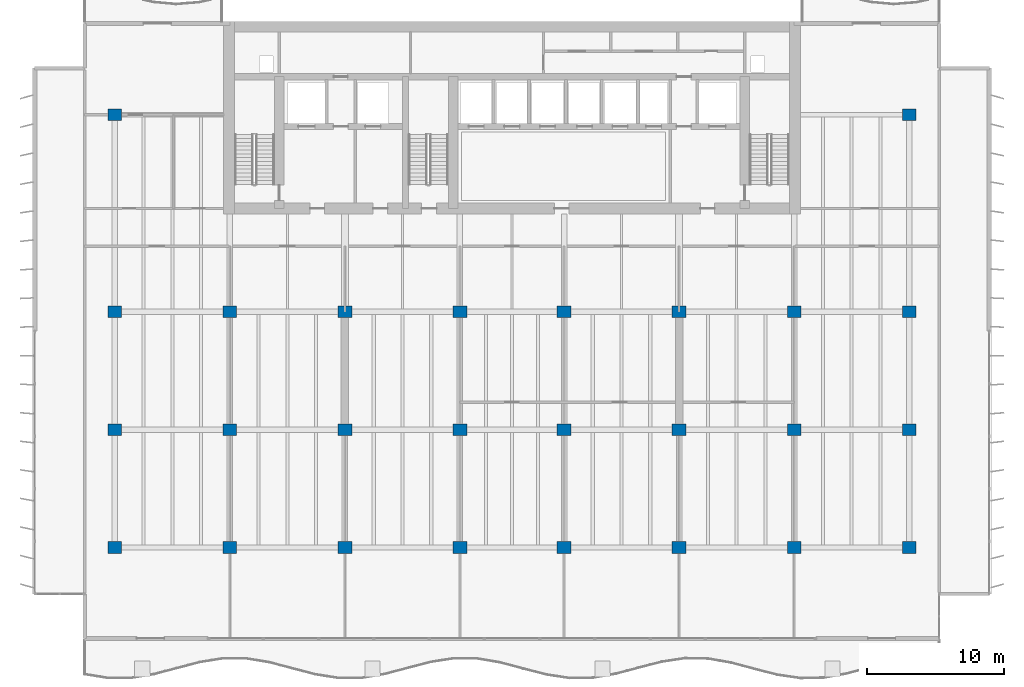
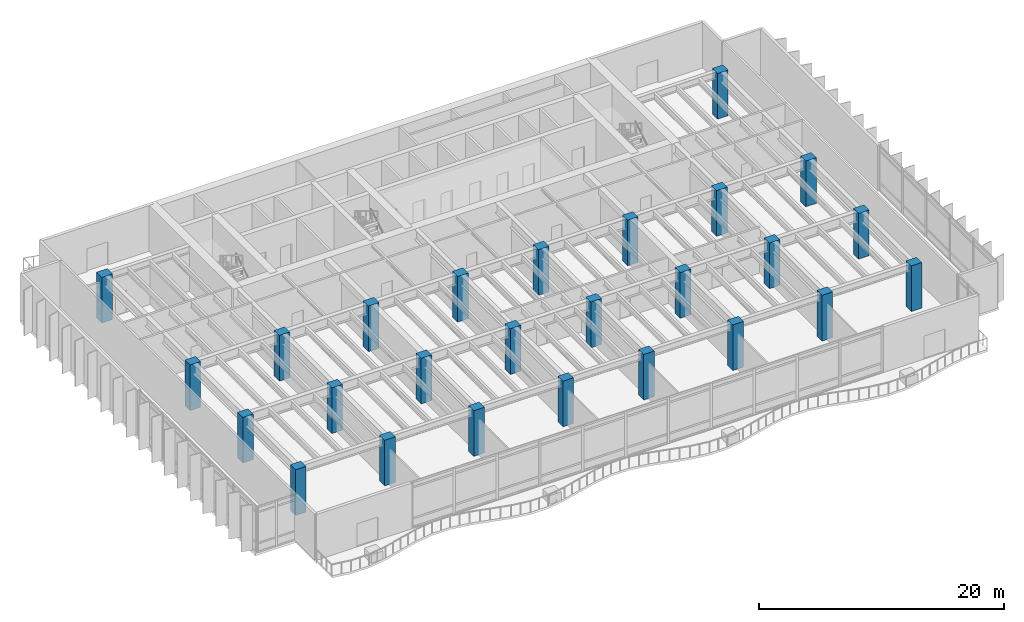
# One storey, part 1 of 16: 26 columns.
"""IFC4 building model written with IfcOpenShell, lengths in metres."""

from ifc_helpers import new_model, si_unit, direction, frame, origin, origin_2d, place, context, subcontext, project, spatial, rectangle, extrude, material, material_profile, profile_set, type_object, element, save


model = new_model("IFC4")

# Units and contexts
model_context = context("Model", 3, precision=1e-05, world=origin(), true_north=direction((0.0, 1.0)))
body_context = subcontext(model_context, "Body", "Model", "MODEL_VIEW")
ifc_project = project(units=[si_unit("LENGTHUNIT", "METRE"), si_unit("AREAUNIT", "SQUARE_METRE"), si_unit("VOLUMEUNIT", "CUBIC_METRE"), si_unit("PLANEANGLEUNIT", "RADIAN"), si_unit("MASSUNIT", "GRAM", prefix="KILO")], contexts=[model_context])

# Site, building, storey
site_placement = place(None, origin())
site = spatial("IfcSite", under=ifc_project, at=site_placement, CompositionType="ELEMENT")
building_placement = place(site_placement, origin())
building = spatial("IfcBuilding", under=site, at=building_placement, Name="Caelmar Bay Residences", CompositionType="ELEMENT")
storey_placement = place(building_placement, frame((0.0, 0.0, 97.800048828125)))
storey = spatial("IfcBuildingStorey", under=building, at=storey_placement, Name="L26", CompositionType="ELEMENT", Elevation=97.800048828125)

# Columns
ifc_material = material(Name="Concrete f'c 70 MPa (10,000 psi)", Category="concrete")
ifc_material_profile = material_profile(ifc_material, rectangle(XDim=1.0, YDim=0.85009765625, at=origin_2d()), Name="RC-COL-1000X850")
ifc_profile_set = profile_set([ifc_material_profile], Name="Concrete f'c 70 MPa (10,000 psi)")
column_type = type_object("IfcColumnType", Name="COL-RC-1000X850", PredefinedType="COLUMN", material=ifc_profile_set)
for number, where, z_axis, x_axis, name in (
    (1, (9.89990234375, 12.199951171875, 0.0), (0.0, 0.0, 1.0), (1.0, 0.0, 0.0), "L26 Column (9.90,12.20)"),
    (2, (18.300048828125, 12.199951171875, 0.0), (0.0, 0.0, 1.0), (1.0, 0.0, 0.0), "L26 Column (18.30,12.20)"),
    (3, (26.699951171875, 12.199951171875, 0.0), (0.0, 0.0, 1.0), (1.0, 0.0, 0.0), "L26 Column (26.70,12.20)"),
    (4, (35.10009765625, 12.199951171875, 0.0), (0.0, 0.0, 1.0), (1.0, 0.0, 0.0), "L26 Column (35.10,12.20)"),
    (5, (42.699951171875, 12.199951171875, 0.0), (0.0, 0.0, 1.0), (1.0, 0.0, 0.0), "L26 Column (42.70,12.20)"),
    (6, (51.10009765625, 12.199951171875, 0.0), (0.0, 0.0, 1.0), (1.0, 0.0, 0.0), "L26 Column (51.10,12.20)"),
    (7, (59.5, 12.199951171875, 0.0), (0.0, 0.0, 1.0), (1.0, 0.0, 0.0), "L26 Column (59.50,12.20)"),
    (8, (67.89990234375, 12.199951171875, 0.0), (0.0, 0.0, 1.0), (1.0, 0.0, 0.0), "L26 Column (67.90,12.20)"),
    (9, (9.89990234375, 20.800048828125, 0.0), (0.0, 0.0, 1.0), (1.0, 0.0, 0.0), "L26 Column (9.90,20.80)"),
    (10, (18.300048828125, 20.800048828125, 0.0), (0.0, 0.0, 1.0), (1.0, 0.0, 0.0), "L26 Column (18.30,20.80)"),
    (11, (26.699951171875, 20.800048828125, 0.0), (0.0, 0.0, 1.0), (1.0, 0.0, 0.0), "L26 Column (26.70,20.80)"),
    (12, (35.10009765625, 20.800048828125, 0.0), (0.0, 0.0, 1.0), (1.0, 0.0, 0.0), "L26 Column (35.10,20.80)"),
    (13, (42.699951171875, 20.800048828125, 0.0), (0.0, 0.0, 1.0), (1.0, 0.0, 0.0), "L26 Column (42.70,20.80)"),
    (14, (51.10009765625, 20.800048828125, 0.0), (0.0, 0.0, 1.0), (1.0, 0.0, 0.0), "L26 Column (51.10,20.80)"),
    (15, (59.5, 20.800048828125, 0.0), (0.0, 0.0, 1.0), (1.0, 0.0, 0.0), "L26 Column (59.50,20.80)"),
    (16, (67.89990234375, 20.800048828125, 0.0), (0.0, 0.0, 1.0), (1.0, 0.0, 0.0), "L26 Column (67.90,20.80)"),
    (17, (9.89990234375, 29.39990234375, 0.0), (0.0, 0.0, 1.0), (1.0, 0.0, 0.0), "L26 Column (9.90,29.40)"),
    (18, (18.300048828125, 29.39990234375, 0.0), (0.0, 0.0, 1.0), (1.0, 0.0, 0.0), "L26 Column (18.30,29.40)"),
    (19, (26.699951171875, 29.39990234375, 0.0), (0.0, 0.0, 1.0), (1.0, 0.0, 0.0), "L26 Column (26.70,29.40)"),
    (20, (35.10009765625, 29.39990234375, 0.0), (0.0, 0.0, 1.0), (1.0, 0.0, 0.0), "L26 Column (35.10,29.40)"),
    (21, (42.699951171875, 29.39990234375, 0.0), (0.0, 0.0, 1.0), (1.0, 0.0, 0.0), "L26 Column (42.70,29.40)"),
    (22, (51.10009765625, 29.39990234375, 0.0), (0.0, 0.0, 1.0), (1.0, 0.0, 0.0), "L26 Column (51.10,29.40)"),
    (23, (59.5, 29.39990234375, 0.0), (0.0, 0.0, 1.0), (1.0, 0.0, 0.0), "L26 Column (59.50,29.40)"),
    (24, (67.89990234375, 29.39990234375, 0.0), (0.0, 0.0, 1.0), (1.0, 0.0, 0.0), "L26 Column (67.90,29.40)"),
    (25, (9.89990234375, 43.800048828125, 0.0), (0.0, 0.0, 1.0), (1.0, 0.0, 0.0), "L26 Column (9.90,43.80)"),
    (26, (67.89990234375, 43.800048828125, 0.0), (0.0, 0.0, 1.0), (1.0, 0.0, 0.0), "L26 Column (67.90,43.80)"),
):
    element("IfcColumn", number, at=place(storey_placement, frame(where, z_axis=z_axis, x_axis=x_axis)), inside=storey, type_object=column_type, Name=name, PredefinedType="COLUMN", context=body_context, shape_type="SweptSolid", body=[
        extrude(rectangle(XDim=1.0, YDim=0.85009765625, at=origin_2d()), origin(), (0.0, 0.0, 1.0), 4.550048828125),
    ])

save(model, "model.ifc")
